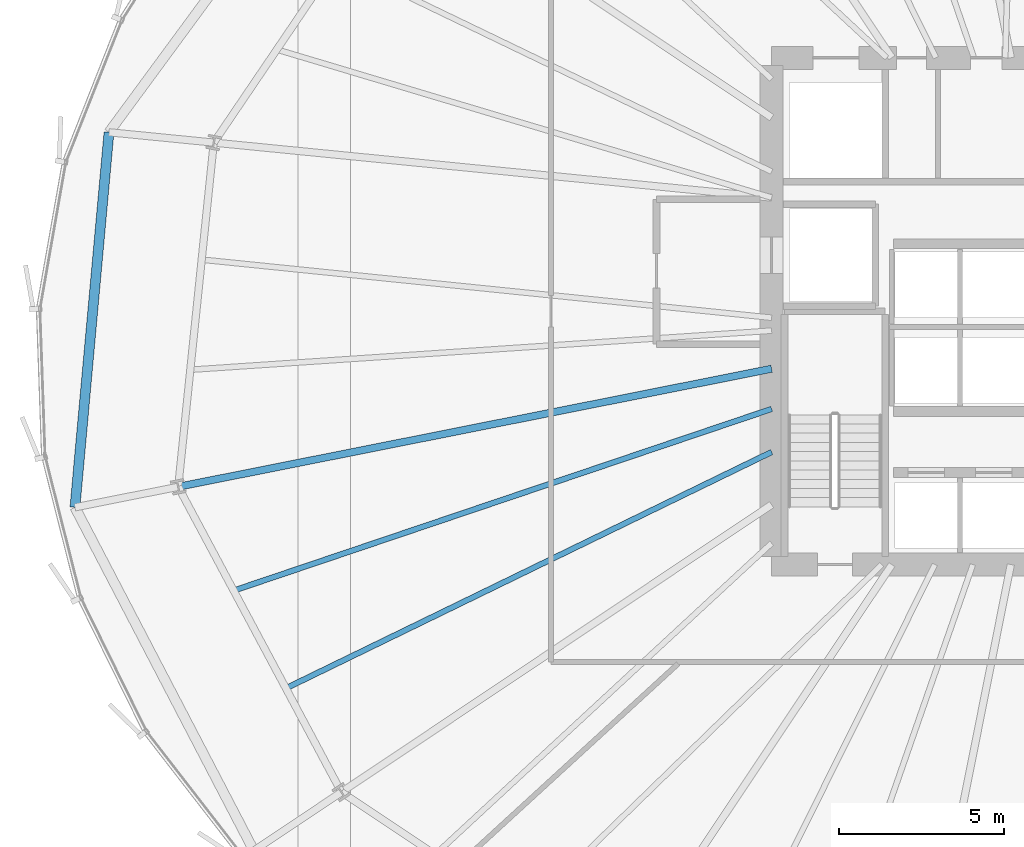
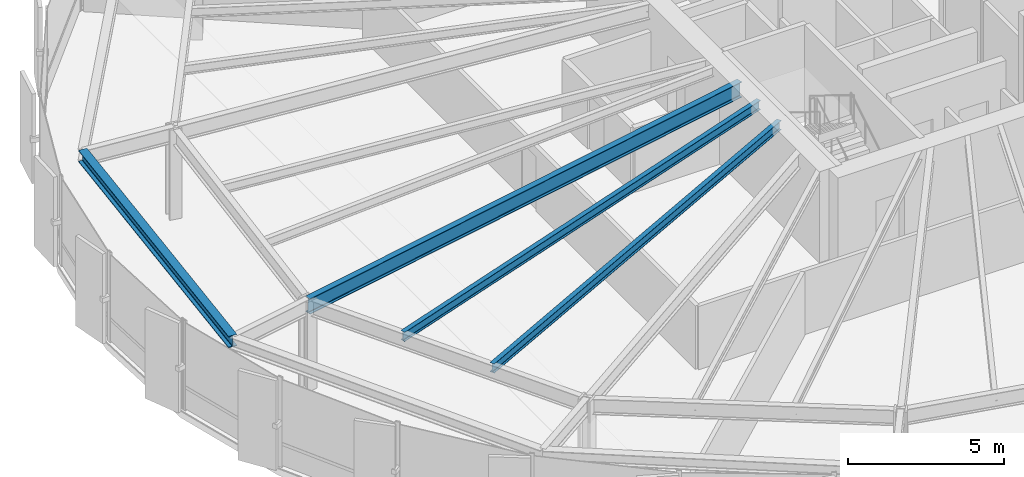
# One storey, part 8 of 38: 4 beams.
"""IFC4 building model written with IfcOpenShell, lengths in metres."""

from ifc_helpers import new_model, si_unit, direction, frame, origin, origin_2d, place, context, subcontext, project, spatial, i_section, extrude, source, transform, mapped, material, material_profile, profile_set, type_object, element, save


model = new_model("IFC4")

# Units and contexts
model_context = context("Model", 3, precision=1e-05, world=origin(), true_north=direction((0.0, 1.0)))
body_context = subcontext(model_context, "Body", "Model", "MODEL_VIEW")
ifc_project = project(units=[si_unit("LENGTHUNIT", "METRE"), si_unit("AREAUNIT", "SQUARE_METRE"), si_unit("VOLUMEUNIT", "CUBIC_METRE"), si_unit("PLANEANGLEUNIT", "RADIAN"), si_unit("MASSUNIT", "GRAM", prefix="KILO"), si_unit("THERMODYNAMICTEMPERATUREUNIT", "KELVIN")], contexts=[model_context])

# Site, building, storey
site_placement = place(None, origin())
site = spatial("IfcSite", under=ifc_project, at=site_placement, CompositionType="ELEMENT")
building_placement = place(site_placement, origin())
building = spatial("IfcBuilding", under=site, at=building_placement, Name="Kethvar Cultural Tower", CompositionType="ELEMENT")
storey_placement = place(building_placement, frame((0.0, 0.0, 63.800048828125)))
storey = spatial("IfcBuildingStorey", under=building, at=storey_placement, Name="L15", CompositionType="ELEMENT", Elevation=63.800048828125)

# Beams
ifc_material = material(Name="Steel S355J2", Category="steel")
ifc_material_profile_1 = material_profile(ifc_material, i_section(OverallWidth=0.219970703125, OverallDepth=0.60009765625, WebThickness=0.011962890625, FlangeThickness=0.01904296875, FilletRadius=0.02392578125, at=origin_2d()), Name="Steel S355J2 — IPE600")
ifc_profile_set_1 = profile_set([ifc_material_profile_1], Name="Steel S355J2 — IPE600")
beam_type_1 = type_object("IfcBeamType", Name="BM-IPE600", PredefinedType="BEAM", material=ifc_profile_set_1)
shared_shape_1 = source(origin(), body_context, "Body", "SweptSolid", [
    extrude(i_section(OverallWidth=0.219970703125, OverallDepth=0.60009765625, WebThickness=0.011962890625, FlangeThickness=0.01904296875, FilletRadius=0.02392578125, at=origin_2d()), origin(), (0.0, 0.0, 1.0), 18.387451171875),
])
beam_1_placement = place(storey_placement, frame((38.0, 26.049560546875, 3.248046875), z_axis=(-0.980785937774, -0.195087017162, 0.0), x_axis=(0.195087017162, -0.980785937774, 0.0)))
element("IfcBeam", 1, at=beam_1_placement, inside=storey, type_object=beam_type_1, Name="L15 Primary Radial Beam RB-09", PredefinedType="BEAM", context=body_context, shape_type="MappedRepresentation", body=[
    mapped(shared_shape_1, transform((0.0, 0.0, 0.0), scale=1.0)),
])
ifc_material_profile_2 = material_profile(ifc_material, i_section(OverallWidth=0.300048828125, OverallDepth=0.449951171875, WebThickness=0.013916015625, FlangeThickness=0.02587890625, FilletRadius=0.027099609375, at=origin_2d()), Name="Steel S355J2 — HEB450")
ifc_profile_set_2 = profile_set([ifc_material_profile_2], Name="Steel S355J2 — HEB450")
beam_type_2 = type_object("IfcBeamType", Name="BM-SP450", PredefinedType="SPANDREL", material=ifc_profile_set_2)
shared_shape_2 = source(origin(), body_context, "Body", "SweptSolid", [
    extrude(i_section(OverallWidth=0.300048828125, OverallDepth=0.449951171875, WebThickness=0.013916015625, FlangeThickness=0.02587890625, FilletRadius=0.027099609375, at=origin_2d()), origin(), (0.0, 0.0, 1.0), 11.445556640625),
])
beam_2_placement = place(storey_placement, frame((17.862548828125, 33.23681640625, 3.322998046875), z_axis=(-0.090441506594, -0.995901769195, 0.0), x_axis=(0.995901769195, -0.090441506594, 0.0)))
element("IfcBeam", 2, at=beam_2_placement, inside=storey, type_object=beam_type_2, Name="L15 Perimeter Spandrel Beam SP-08", PredefinedType="SPANDREL", context=body_context, shape_type="MappedRepresentation", body=[
    mapped(shared_shape_2, transform((0.0, 0.0, 0.0), scale=1.0)),
])
ifc_material_profile_3 = material_profile(ifc_material, i_section(OverallWidth=0.169921875, OverallDepth=0.360107421875, WebThickness=0.008056640625, FlangeThickness=0.0126953125, FilletRadius=0.01806640625, at=origin_2d()), Name="Steel S355J2 — IPE360")
ifc_profile_set_3 = profile_set([ifc_material_profile_3], Name="Steel S355J2 — IPE360")
beam_type_3 = type_object("IfcBeamType", Name="BM-J360", PredefinedType="JOIST", material=ifc_profile_set_3)
shared_shape_3 = source(origin(), body_context, "Body", "SweptSolid", [
    extrude(i_section(OverallWidth=0.169921875, OverallDepth=0.360107421875, WebThickness=0.008056640625, FlangeThickness=0.0126953125, FilletRadius=0.01806640625, at=origin_2d()), origin(), (0.0, 0.0, 1.0), 17.255126953125),
])
beam_3_placement = place(storey_placement, frame((38.0, 24.828369140625, 3.367919921875), z_axis=(-0.947435140552, -0.319947893332, 0.0), x_axis=(0.319947893332, -0.947435140552, 0.0)))
element("IfcBeam", 3, at=beam_3_placement, inside=storey, type_object=beam_type_3, Name="L15 Composite Floor Joist J-09A", PredefinedType="JOIST", context=body_context, shape_type="MappedRepresentation", body=[
    mapped(shared_shape_3, transform((0.0, 0.0, 0.0), scale=1.0)),
])
shared_shape_4 = source(origin(), body_context, "Body", "SweptSolid", [
    extrude(i_section(OverallWidth=0.169921875, OverallDepth=0.360107421875, WebThickness=0.008056640625, FlangeThickness=0.0126953125, FilletRadius=0.01806640625, at=origin_2d()), origin(), (0.0, 0.0, 1.0), 16.4150390625),
])
beam_4_placement = place(storey_placement, frame((38.0, 23.51904296875, 3.367919921875), z_axis=(-0.899246473736, -0.437442315595, 0.0), x_axis=(0.437442315595, -0.899246473736, 0.0)))
element("IfcBeam", 4, at=beam_4_placement, inside=storey, type_object=beam_type_3, Name="L15 Composite Floor Joist J-09B", PredefinedType="JOIST", context=body_context, shape_type="MappedRepresentation", body=[
    mapped(shared_shape_4, transform((0.0, 0.0, 0.0), scale=1.0)),
])

save(model, "model.ifc")
